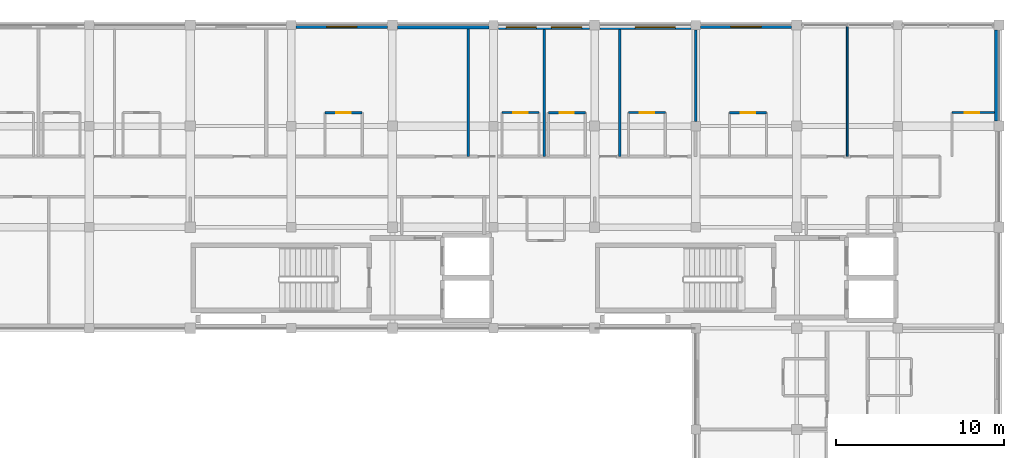
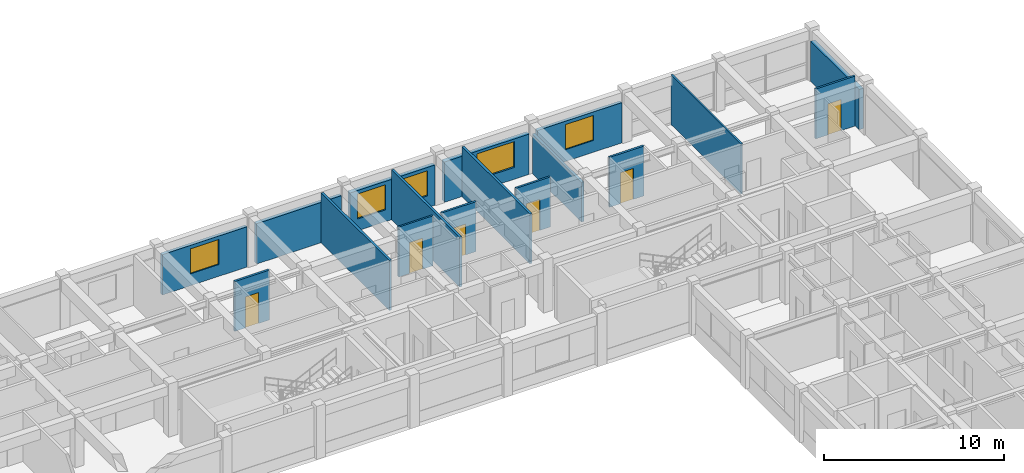
# One storey, part 18 of 25: 17 walls, 6 doors, 5 windows, 11 openings.
"""IFC4 building model written with IfcOpenShell, lengths in metres."""

from ifc_helpers import new_model, si_unit, direction, frame, frame_2d, origin, place, context, subcontext, project, spatial, rectangle, extrude, material, layer, layer_set, type_object, element, fill, save


model = new_model("IFC4")

# Units and contexts
model_context = context("Model", 3, precision=1e-05, world=origin(), true_north=direction((0.0, 1.0)))
body_context = subcontext(model_context, "Body", "Model", "MODEL_VIEW")
ifc_project = project(units=[si_unit("LENGTHUNIT", "METRE"), si_unit("AREAUNIT", "SQUARE_METRE"), si_unit("VOLUMEUNIT", "CUBIC_METRE"), si_unit("PLANEANGLEUNIT", "RADIAN"), si_unit("MASSUNIT", "GRAM", prefix="KILO"), si_unit("THERMODYNAMICTEMPERATUREUNIT", "KELVIN"), si_unit("POWERUNIT", "WATT")], contexts=[model_context])

# Site, building, storey
site_placement = place(None, origin())
site = spatial("IfcSite", under=ifc_project, at=site_placement, CompositionType="ELEMENT")
building_placement = place(site_placement, origin())
building = spatial("IfcBuilding", under=site, at=building_placement, Name="Phaisarnlok Congress Hotel", CompositionType="ELEMENT")
storey_placement = place(building_placement, frame((0.0, 0.0, 24.60009765625)))
storey = spatial("IfcBuildingStorey", under=building, at=storey_placement, Name="L05", CompositionType="ELEMENT", Elevation=24.60009765625)

# Wall, opening, window
ifc_material_1 = material(Name="Concrete C40/50", Category="concrete")
ifc_layer_1 = layer(ifc_material_1, 0.2099609375, Name="Concrete C40/50")
ifc_layer_set_1 = layer_set([ifc_layer_1], Name="Concrete C40/50")
wall_type_1 = type_object("IfcWallType", Name="WL-EXT-210", PredefinedType="SOLIDWALL", material=ifc_layer_set_1)
wall_1_placement = place(storey_placement, frame((167.695068359375, 125.89501953125, 0.0), z_axis=(0.0, 0.0, 1.0), x_axis=(-1.0, 0.0, 0.0)))
wall_1 = element("IfcWall", 1, at=wall_1_placement, inside=storey, type_object=wall_type_1, Name="Exterior wall EW-07 (L05)", PredefinedType="SOLIDWALL", context=body_context, shape_type="SweptSolid", body=[
    extrude(rectangle(XDim=5.4150390625, YDim=0.2099609375, at=frame_2d((2.70751953125, 0.0))), origin(), (0.0, 0.0, 1.0), 2.72998046875),
])
opening_1_placement = place(wall_1_placement, frame((1.806884765625, 0.0, 0.800048828125)))
opening_1 = element("IfcOpeningElement", 2, at=opening_1_placement, cuts=wall_1, Name="Opening W-10", PredefinedType="OPENING", context=body_context, shape_type="SweptSolid", body=[
    extrude(rectangle(XDim=1.800048828125, YDim=1.699951171875, at=frame_2d((0.89990234375, 0.85009765625))), frame((0.0, 0.114990234375, 0.0), z_axis=(0.0, -1.0, 0.0), x_axis=(1.0, 0.0, 0.0)), (0.0, 0.0, 1.0), 0.22998046875),
])
ifc_material_2 = material(Name="Thermally Broken Aluminium & Low-E Double Glazing", Category="aluminium")
window_type_1 = type_object("IfcWindowType", Name="WIN-POD-1800", PartitioningType="SINGLE_PANEL", PredefinedType="WINDOW", material=ifc_material_2)
window_1_placement = place(opening_1_placement, origin())
window_1 = element("IfcWindow", 3, at=window_1_placement, inside=storey, type_object=window_type_1, Name="Guestroom window W-10 (L05)", OverallHeight=1.699951171875, OverallWidth=1.800048828125, PartitioningType="SINGLE_PANEL", PredefinedType="WINDOW", context=body_context, shape_type="SweptSolid", body=[
    extrude(rectangle(XDim=1.800048828125, YDim=1.699951171875, at=frame_2d((0.89990234375, 0.85009765625))), frame((0.0, 0.030029296875, 0.0), z_axis=(0.0, -1.0, 0.0), x_axis=(1.0, 0.0, 0.0)), (0.0, 0.0, 1.0), 0.06005859375),
])
fill(opening_1, window_1)

wall_2_placement = place(storey_placement, frame((143.695068359375, 125.89501953125, 0.0), z_axis=(0.0, 0.0, 1.0), x_axis=(-1.0, 0.0, 0.0)))
wall_2 = element("IfcWall", 4, at=wall_2_placement, inside=storey, type_object=wall_type_1, Name="Exterior wall EW-07 (L05)", PredefinedType="SOLIDWALL", context=body_context, shape_type="SweptSolid", body=[
    extrude(rectangle(XDim=5.4150390625, YDim=0.2099609375, at=frame_2d((2.70751953125, 0.0))), origin(), (0.0, 0.0, 1.0), 2.72998046875),
])
opening_2_placement = place(wall_2_placement, frame((1.806884765625, 0.0, 0.800048828125)))
opening_2 = element("IfcOpeningElement", 5, at=opening_2_placement, cuts=wall_2, Name="Opening W-10", PredefinedType="OPENING", context=body_context, shape_type="SweptSolid", body=[
    extrude(rectangle(XDim=1.800048828125, YDim=1.699951171875, at=frame_2d((0.89990234375, 0.85009765625))), frame((0.0, 0.114990234375, 0.0), z_axis=(0.0, -1.0, 0.0), x_axis=(1.0, 0.0, 0.0)), (0.0, 0.0, 1.0), 0.22998046875),
])
window_2_placement = place(opening_2_placement, origin())
window_2 = element("IfcWindow", 6, at=window_2_placement, inside=storey, type_object=window_type_1, Name="Guestroom window W-10 (L05)", OverallHeight=1.699951171875, OverallWidth=1.800048828125, PartitioningType="SINGLE_PANEL", PredefinedType="WINDOW", context=body_context, shape_type="SweptSolid", body=[
    extrude(rectangle(XDim=1.800048828125, YDim=1.699951171875, at=frame_2d((0.89990234375, 0.85009765625))), frame((0.0, 0.030029296875, 0.0), z_axis=(0.0, -1.0, 0.0), x_axis=(1.0, 0.0, 0.0)), (0.0, 0.0, 1.0), 0.06005859375),
])
fill(opening_2, window_2)

# Wall
ifc_layer_2 = layer(ifc_material_1, 0.22998046875, Name="Concrete C40/50")
ifc_layer_set_2 = layer_set([ifc_layer_2], Name="Concrete C40/50")
wall_type_2 = type_object("IfcWallType", Name="WL-EXT-230", PredefinedType="SOLIDWALL", material=ifc_layer_set_2)
wall_3_placement = place(storey_placement, frame((149.719970703125, 125.885009765625, 0.0), z_axis=(0.0, 0.0, 1.0), x_axis=(-1.0, 0.0, 0.0)))
element("IfcWall", 7, at=wall_3_placement, inside=storey, type_object=wall_type_2, Name="Exterior wall EW-06 (L05)", PredefinedType="SOLIDWALL", context=body_context, shape_type="SweptSolid", body=[
    extrude(rectangle(XDim=5.4150390625, YDim=0.22998046875, at=frame_2d((2.70751953125, 0.0))), origin(), (0.0, 0.0, 1.0), 2.72998046875),
])

# Wall, openings, windows
ifc_layer_3 = layer(ifc_material_1, 0.25, Name="Concrete C40/50")
ifc_layer_set_3 = layer_set([ifc_layer_3], Name="Concrete C40/50")
wall_type_3 = type_object("IfcWallType", Name="WL-EXT-250", PredefinedType="SOLIDWALL", material=ifc_layer_set_3)
wall_4_placement = place(storey_placement, frame((155.695068359375, 125.875, 0.0), z_axis=(0.0, 0.0, 1.0), x_axis=(-1.0, 0.0, 0.0)))
wall_4 = element("IfcWall", 8, at=wall_4_placement, inside=storey, type_object=wall_type_3, Name="Exterior wall EW-05 (L05)", PredefinedType="SOLIDWALL", context=body_context, shape_type="SweptSolid", body=[
    extrude(rectangle(XDim=5.4150390625, YDim=0.25, at=frame_2d((2.70751953125, 0.0))), origin(), (0.0, 0.0, 1.0), 2.72998046875),
])
opening_3_placement = place(wall_4_placement, frame((3.14501953125, 0.0, 0.800048828125)))
opening_3 = element("IfcOpeningElement", 9, at=opening_3_placement, cuts=wall_4, Name="Opening W-10", PredefinedType="OPENING", context=body_context, shape_type="SweptSolid", body=[
    extrude(rectangle(XDim=1.800048828125, YDim=1.699951171875, at=frame_2d((0.89990234375, 0.85009765625))), frame((0.0, 0.135009765625, 0.0), z_axis=(0.0, -1.0, 0.0), x_axis=(1.0, 0.0, 0.0)), (0.0, 0.0, 1.0), 0.27001953125),
])
opening_4_placement = place(wall_4_placement, frame((0.4580078125, 0.0, 0.800048828125)))
opening_4 = element("IfcOpeningElement", 10, at=opening_4_placement, cuts=wall_4, Name="Opening W-10", PredefinedType="OPENING", context=body_context, shape_type="SweptSolid", body=[
    extrude(rectangle(XDim=1.800048828125, YDim=1.699951171875, at=frame_2d((0.89990234375, 0.85009765625))), frame((0.0, 0.135009765625, 0.0), z_axis=(0.0, -1.0, 0.0), x_axis=(1.0, 0.0, 0.0)), (0.0, 0.0, 1.0), 0.27001953125),
])
window_3_placement = place(opening_3_placement, origin())
window_3 = element("IfcWindow", 11, at=window_3_placement, inside=storey, type_object=window_type_1, Name="Guestroom window W-10 (L05)", OverallHeight=1.699951171875, OverallWidth=1.800048828125, PartitioningType="SINGLE_PANEL", PredefinedType="WINDOW", context=body_context, shape_type="SweptSolid", body=[
    extrude(rectangle(XDim=1.800048828125, YDim=1.699951171875, at=frame_2d((0.89990234375, 0.85009765625))), frame((0.0, 0.030029296875, 0.0), z_axis=(0.0, -1.0, 0.0), x_axis=(1.0, 0.0, 0.0)), (0.0, 0.0, 1.0), 0.06005859375),
])
fill(opening_3, window_3)
window_4_placement = place(opening_4_placement, origin())
window_4 = element("IfcWindow", 12, at=window_4_placement, inside=storey, type_object=window_type_1, Name="Guestroom window W-10 (L05)", OverallHeight=1.699951171875, OverallWidth=1.800048828125, PartitioningType="SINGLE_PANEL", PredefinedType="WINDOW", context=body_context, shape_type="SweptSolid", body=[
    extrude(rectangle(XDim=1.800048828125, YDim=1.699951171875, at=frame_2d((0.89990234375, 0.85009765625))), frame((0.0, 0.030029296875, 0.0), z_axis=(0.0, -1.0, 0.0), x_axis=(1.0, 0.0, 0.0)), (0.0, 0.0, 1.0), 0.06005859375),
])
fill(opening_4, window_4)

# Wall
ifc_layer_4 = layer(ifc_material_1, 0.27001953125, Name="Concrete C40/50")
ifc_layer_set_4 = layer_set([ifc_layer_4], Name="Concrete C40/50")
wall_type_4 = type_object("IfcWallType", Name="WL-EXT-270", PredefinedType="SOLIDWALL", material=ifc_layer_set_4)
wall_5_placement = place(storey_placement, frame((179.864990234375, 120.304931640625, 0.0), z_axis=(0.0, 0.0, 1.0), x_axis=(0.0, 1.0, 0.0)))
element("IfcWall", 13, at=wall_5_placement, inside=storey, type_object=wall_type_4, Name="Exterior wall EW-04 (L05)", PredefinedType="SOLIDWALL", context=body_context, shape_type="SweptSolid", body=[
    extrude(rectangle(XDim=5.39013671875, YDim=0.27001953125, at=frame_2d((2.695068359375, 0.0))), origin(), (0.0, 0.0, 1.0), 2.72998046875),
])

# Wall, opening, window
wall_6_placement = place(storey_placement, frame((161.719970703125, 125.864990234375, 0.0), z_axis=(0.0, 0.0, 1.0), x_axis=(-1.0, 0.0, 0.0)))
wall_6 = element("IfcWall", 14, at=wall_6_placement, inside=storey, type_object=wall_type_4, Name="Exterior wall EW-04 (L05)", PredefinedType="SOLIDWALL", context=body_context, shape_type="SweptSolid", body=[
    extrude(rectangle(XDim=5.4150390625, YDim=0.27001953125, at=frame_2d((2.70751953125, 0.0))), origin(), (0.0, 0.0, 1.0), 2.72998046875),
])
opening_5_placement = place(wall_6_placement, frame((0.919921875, 0.0, 0.800048828125)))
opening_5 = element("IfcOpeningElement", 15, at=opening_5_placement, cuts=wall_6, Name="Opening W-01", PredefinedType="OPENING", context=body_context, shape_type="SweptSolid", body=[
    extrude(rectangle(XDim=2.39990234375, YDim=1.75, at=frame_2d((1.199951171875, 0.875))), frame((0.0, 0.14501953125, 0.0), z_axis=(0.0, -1.0, 0.0), x_axis=(1.0, 0.0, 0.0)), (0.0, 0.0, 1.0), 0.2900390625),
])
window_type_2 = type_object("IfcWindowType", Name="WIN-HOTEL-2400", PartitioningType="SINGLE_PANEL", PredefinedType="WINDOW", material=ifc_material_2)
window_5_placement = place(opening_5_placement, origin())
window_5 = element("IfcWindow", 16, at=window_5_placement, inside=storey, type_object=window_type_2, Name="Guestroom window W-01 (L05)", OverallHeight=1.75, OverallWidth=2.39990234375, PartitioningType="SINGLE_PANEL", PredefinedType="WINDOW", context=body_context, shape_type="SweptSolid", body=[
    extrude(rectangle(XDim=2.39990234375, YDim=1.75, at=frame_2d((1.199951171875, 0.875))), frame((0.0, 0.030029296875, 0.0), z_axis=(0.0, -1.0, 0.0), x_axis=(1.0, 0.0, 0.0)), (0.0, 0.0, 1.0), 0.06005859375),
])
fill(opening_5, window_5)

# Wall
ifc_material_3 = material(Name="Service Riser Shaftwall Partition", Category="gypsum")
ifc_layer_5 = layer(ifc_material_3, 0.10498046875, Name="Service Riser Shaftwall Partition")
ifc_layer_set_5 = layer_set([ifc_layer_5], Name="Service Riser Shaftwall Partition")
wall_type_5 = type_object("IfcWallType", Name="WL-INT-105", PredefinedType="PARTITIONING", material=ifc_layer_set_5)
wall_7_placement = place(storey_placement, frame((171.0, 118.199951171875, 0.0), z_axis=(0.0, 0.0, 1.0), x_axis=(0.0, 1.0, 0.0)))
element("IfcWall", 17, at=wall_7_placement, inside=storey, type_object=wall_type_5, Name="Interior partition wall IW-08 (L05)", PredefinedType="PARTITIONING", context=body_context, shape_type="SweptSolid", body=[
    extrude(rectangle(XDim=7.755126953125, YDim=0.10498046875, at=frame_2d((3.87744140625, 0.0))), origin(), (0.0, 0.0, 1.0), 3.3798828125),
])

# Wall, opening, door
ifc_material_4 = material(Name="Lightweight Metal-Stud Gypsum Partition", Category="gypsum")
ifc_layer_6 = layer(ifc_material_4, 0.1201171875, Name="Lightweight Metal-Stud Gypsum Partition")
ifc_layer_set_6 = layer_set([ifc_layer_6], Name="Lightweight Metal-Stud Gypsum Partition")
wall_type_6 = type_object("IfcWallType", Name="WL-INT-120", PredefinedType="PARTITIONING", material=ifc_layer_set_6)
wall_8_placement = place(storey_placement, frame((150.5, 120.800048828125, 0.0), z_axis=(0.0, 0.0, 1.0), x_axis=(1.0, 0.0, 0.0)))
wall_8 = element("IfcWall", 18, at=wall_8_placement, inside=storey, type_object=wall_type_6, Name="Interior partition wall IW-07 (L05)", PredefinedType="PARTITIONING", context=body_context, shape_type="SweptSolid", body=[
    extrude(rectangle(XDim=2.199951171875, YDim=0.1201171875, at=frame_2d((1.10009765625, 0.0))), origin(), (0.0, 0.0, 1.0), 3.3798828125),
])
opening_6_placement = place(wall_8_placement, frame((0.675048828125, 0.0, 0.0)))
opening_6 = element("IfcOpeningElement", 19, at=opening_6_placement, cuts=wall_8, Name="Opening D-0171", PredefinedType="OPENING", context=body_context, shape_type="SweptSolid", body=[
    extrude(rectangle(XDim=0.85009765625, YDim=2.10009765625, at=frame_2d((0.425048828125, 1.050048828125))), frame((0.0, 0.070068359375, 0.0), z_axis=(0.0, -1.0, 0.0), x_axis=(1.0, 0.0, 0.0)), (0.0, 0.0, 1.0), 0.14013671875),
])
ifc_material_5 = material(Name="Moisture-Resistant Lacquered Timber", Category="wood")
door_type = type_object("IfcDoorType", Name="DR-BATH-850", OperationType="NOTDEFINED", PredefinedType="DOOR", material=ifc_material_5)
door_1_placement = place(opening_6_placement, origin())
door_1 = element("IfcDoor", 20, at=door_1_placement, inside=storey, type_object=door_type, Name="Interior door D-0171 (L05)", OperationType="SINGLE_SWING_LEFT", OverallHeight=2.10009765625, OverallWidth=0.85009765625, PredefinedType="DOOR", context=body_context, shape_type="SweptSolid", body=[
    extrude(rectangle(XDim=0.85009765625, YDim=2.10009765625, at=frame_2d((0.425048828125, 1.050048828125))), frame((0.0, 0.02490234375, 0.0), z_axis=(0.0, -1.0, 0.0), x_axis=(1.0, 0.0, 0.0)), (0.0, 0.0, 1.0), 0.050048828125),
])
fill(opening_6, door_1)

wall_9_placement = place(storey_placement, frame((158.0, 120.800048828125, 0.0), z_axis=(0.0, 0.0, 1.0), x_axis=(1.0, 0.0, 0.0)))
wall_9 = element("IfcWall", 21, at=wall_9_placement, inside=storey, type_object=wall_type_6, Name="Interior partition wall IW-07 (L05)", PredefinedType="PARTITIONING", context=body_context, shape_type="SweptSolid", body=[
    extrude(rectangle(XDim=2.199951171875, YDim=0.1201171875, at=frame_2d((1.10009765625, 0.0))), origin(), (0.0, 0.0, 1.0), 3.3798828125),
])
opening_7_placement = place(wall_9_placement, frame((0.675048828125, 0.0, 0.0)))
opening_7 = element("IfcOpeningElement", 22, at=opening_7_placement, cuts=wall_9, Name="Opening D-0175", PredefinedType="OPENING", context=body_context, shape_type="SweptSolid", body=[
    extrude(rectangle(XDim=0.85009765625, YDim=2.10009765625, at=frame_2d((0.425048828125, 1.050048828125))), frame((0.0, 0.070068359375, 0.0), z_axis=(0.0, -1.0, 0.0), x_axis=(1.0, 0.0, 0.0)), (0.0, 0.0, 1.0), 0.14013671875),
])
door_2_placement = place(opening_7_placement, origin())
door_2 = element("IfcDoor", 23, at=door_2_placement, inside=storey, type_object=door_type, Name="Interior door D-0175 (L05)", OperationType="SINGLE_SWING_LEFT", OverallHeight=2.10009765625, OverallWidth=0.85009765625, PredefinedType="DOOR", context=body_context, shape_type="SweptSolid", body=[
    extrude(rectangle(XDim=0.85009765625, YDim=2.10009765625, at=frame_2d((0.425048828125, 1.050048828125))), frame((0.0, 0.02490234375, 0.0), z_axis=(0.0, -1.0, 0.0), x_axis=(1.0, 0.0, 0.0)), (0.0, 0.0, 1.0), 0.050048828125),
])
fill(opening_7, door_2)

wall_10_placement = place(storey_placement, frame((177.199951171875, 120.800048828125, 0.0), z_axis=(0.0, 0.0, 1.0), x_axis=(1.0, 0.0, 0.0)))
wall_10 = element("IfcWall", 24, at=wall_10_placement, inside=storey, type_object=wall_type_6, Name="Interior partition wall IW-07 (L05)", PredefinedType="PARTITIONING", context=body_context, shape_type="SweptSolid", body=[
    extrude(rectangle(XDim=2.525146484375, YDim=0.1201171875, at=frame_2d((1.2626953125, 0.0))), origin(), (0.0, 0.0, 1.0), 3.3798828125),
])
opening_8_placement = place(wall_10_placement, frame((0.77490234375, 0.0, 0.0)))
opening_8 = element("IfcOpeningElement", 25, at=opening_8_placement, cuts=wall_10, Name="Opening D-0179", PredefinedType="OPENING", context=body_context, shape_type="SweptSolid", body=[
    extrude(rectangle(XDim=0.85009765625, YDim=2.10009765625, at=frame_2d((0.425048828125, 1.050048828125))), frame((0.0, 0.070068359375, 0.0), z_axis=(0.0, -1.0, 0.0), x_axis=(1.0, 0.0, 0.0)), (0.0, 0.0, 1.0), 0.14013671875),
])
door_3_placement = place(opening_8_placement, origin())
door_3 = element("IfcDoor", 26, at=door_3_placement, inside=storey, type_object=door_type, Name="Interior door D-0179 (L05)", OperationType="SINGLE_SWING_LEFT", OverallHeight=2.10009765625, OverallWidth=0.85009765625, PredefinedType="DOOR", context=body_context, shape_type="SweptSolid", body=[
    extrude(rectangle(XDim=0.85009765625, YDim=2.10009765625, at=frame_2d((0.425048828125, 1.050048828125))), frame((0.0, 0.02490234375, 0.0), z_axis=(0.0, -1.0, 0.0), x_axis=(1.0, 0.0, 0.0)), (0.0, 0.0, 1.0), 0.050048828125),
])
fill(opening_8, door_3)

ifc_material_6 = material(Name="Moisture-Resistant Gypsum Partition", Category="gypsum")
ifc_layer_7 = layer(ifc_material_6, 0.135009765625, Name="Moisture-Resistant Gypsum Partition")
ifc_layer_set_7 = layer_set([ifc_layer_7], Name="Moisture-Resistant Gypsum Partition")
wall_type_7 = type_object("IfcWallType", Name="WL-INT-135", PredefinedType="PARTITIONING", material=ifc_layer_set_7)
wall_11_placement = place(storey_placement, frame((140.0, 120.800048828125, 0.0), z_axis=(0.0, 0.0, 1.0), x_axis=(1.0, 0.0, 0.0)))
wall_11 = element("IfcWall", 27, at=wall_11_placement, inside=storey, type_object=wall_type_7, Name="Interior partition wall IW-06 (L05)", PredefinedType="PARTITIONING", context=body_context, shape_type="SweptSolid", body=[
    extrude(rectangle(XDim=2.199951171875, YDim=0.135009765625, at=frame_2d((1.10009765625, 0.0))), origin(), (0.0, 0.0, 1.0), 3.3798828125),
])
opening_9_placement = place(wall_11_placement, frame((0.675048828125, 0.0, 0.0)))
opening_9 = element("IfcOpeningElement", 28, at=opening_9_placement, cuts=wall_11, Name="Opening D-0169", PredefinedType="OPENING", context=body_context, shape_type="SweptSolid", body=[
    extrude(rectangle(XDim=0.85009765625, YDim=2.10009765625, at=frame_2d((0.425048828125, 1.050048828125))), frame((0.0, 0.07763671875, 0.0), z_axis=(0.0, -1.0, 0.0), x_axis=(1.0, 0.0, 0.0)), (0.0, 0.0, 1.0), 0.155029296875),
])
door_4_placement = place(opening_9_placement, origin())
door_4 = element("IfcDoor", 29, at=door_4_placement, inside=storey, type_object=door_type, Name="Interior door D-0169 (L05)", OperationType="SINGLE_SWING_LEFT", OverallHeight=2.10009765625, OverallWidth=0.85009765625, PredefinedType="DOOR", context=body_context, shape_type="SweptSolid", body=[
    extrude(rectangle(XDim=0.85009765625, YDim=2.10009765625, at=frame_2d((0.425048828125, 1.050048828125))), frame((0.0, 0.02490234375, 0.0), z_axis=(0.0, -1.0, 0.0), x_axis=(1.0, 0.0, 0.0)), (0.0, 0.0, 1.0), 0.050048828125),
])
fill(opening_9, door_4)

wall_12_placement = place(storey_placement, frame((153.25, 120.800048828125, 0.0), z_axis=(0.0, 0.0, 1.0), x_axis=(1.0, 0.0, 0.0)))
wall_12 = element("IfcWall", 30, at=wall_12_placement, inside=storey, type_object=wall_type_7, Name="Interior partition wall IW-06 (L05)", PredefinedType="PARTITIONING", context=body_context, shape_type="SweptSolid", body=[
    extrude(rectangle(XDim=2.199951171875, YDim=0.135009765625, at=frame_2d((1.10009765625, 0.0))), origin(), (0.0, 0.0, 1.0), 3.3798828125),
])
opening_10_placement = place(wall_12_placement, frame((0.675048828125, 0.0, 0.0)))
opening_10 = element("IfcOpeningElement", 31, at=opening_10_placement, cuts=wall_12, Name="Opening D-0173", PredefinedType="OPENING", context=body_context, shape_type="SweptSolid", body=[
    extrude(rectangle(XDim=0.85009765625, YDim=2.10009765625, at=frame_2d((0.425048828125, 1.050048828125))), frame((0.0, 0.07763671875, 0.0), z_axis=(0.0, -1.0, 0.0), x_axis=(1.0, 0.0, 0.0)), (0.0, 0.0, 1.0), 0.155029296875),
])
door_5_placement = place(opening_10_placement, origin())
door_5 = element("IfcDoor", 32, at=door_5_placement, inside=storey, type_object=door_type, Name="Interior door D-0173 (L05)", OperationType="SINGLE_SWING_LEFT", OverallHeight=2.10009765625, OverallWidth=0.85009765625, PredefinedType="DOOR", context=body_context, shape_type="SweptSolid", body=[
    extrude(rectangle(XDim=0.85009765625, YDim=2.10009765625, at=frame_2d((0.425048828125, 1.050048828125))), frame((0.0, 0.02490234375, 0.0), z_axis=(0.0, -1.0, 0.0), x_axis=(1.0, 0.0, 0.0)), (0.0, 0.0, 1.0), 0.050048828125),
])
fill(opening_10, door_5)

wall_13_placement = place(storey_placement, frame((164.0, 120.800048828125, 0.0), z_axis=(0.0, 0.0, 1.0), x_axis=(1.0, 0.0, 0.0)))
wall_13 = element("IfcWall", 33, at=wall_13_placement, inside=storey, type_object=wall_type_7, Name="Interior partition wall IW-06 (L05)", PredefinedType="PARTITIONING", context=body_context, shape_type="SweptSolid", body=[
    extrude(rectangle(XDim=2.199951171875, YDim=0.135009765625, at=frame_2d((1.10009765625, 0.0))), origin(), (0.0, 0.0, 1.0), 3.3798828125),
])
opening_11_placement = place(wall_13_placement, frame((0.675048828125, 0.0, 0.0)))
opening_11 = element("IfcOpeningElement", 34, at=opening_11_placement, cuts=wall_13, Name="Opening D-0177", PredefinedType="OPENING", context=body_context, shape_type="SweptSolid", body=[
    extrude(rectangle(XDim=0.85009765625, YDim=2.10009765625, at=frame_2d((0.425048828125, 1.050048828125))), frame((0.0, 0.07763671875, 0.0), z_axis=(0.0, -1.0, 0.0), x_axis=(1.0, 0.0, 0.0)), (0.0, 0.0, 1.0), 0.155029296875),
])
door_6_placement = place(opening_11_placement, origin())
door_6 = element("IfcDoor", 35, at=door_6_placement, inside=storey, type_object=door_type, Name="Interior door D-0177 (L05)", OperationType="SINGLE_SWING_LEFT", OverallHeight=2.10009765625, OverallWidth=0.85009765625, PredefinedType="DOOR", context=body_context, shape_type="SweptSolid", body=[
    extrude(rectangle(XDim=0.85009765625, YDim=2.10009765625, at=frame_2d((0.425048828125, 1.050048828125))), frame((0.0, 0.02490234375, 0.0), z_axis=(0.0, -1.0, 0.0), x_axis=(1.0, 0.0, 0.0)), (0.0, 0.0, 1.0), 0.050048828125),
])
fill(opening_11, door_6)

# Walls
ifc_material_7 = material(Name="Acoustic Gypsum Board & Mineral Wool", Category="gypsum")
ifc_layer_8 = layer(ifc_material_7, 0.14990234375, Name="Acoustic Gypsum Board & Mineral Wool")
ifc_layer_set_8 = layer_set([ifc_layer_8], Name="Acoustic Gypsum Board & Mineral Wool")
wall_type_8 = type_object("IfcWallType", Name="WL-INT-150", PredefinedType="PARTITIONING", material=ifc_layer_set_8)
wall_14_placement = place(storey_placement, frame((148.5, 118.199951171875, 0.0), z_axis=(0.0, 0.0, 1.0), x_axis=(0.0, 1.0, 0.0)))
element("IfcWall", 36, at=wall_14_placement, inside=storey, type_object=wall_type_8, Name="Interior partition wall IW-05 (L05)", PredefinedType="PARTITIONING", context=body_context, shape_type="SweptSolid", body=[
    extrude(rectangle(XDim=7.56494140625, YDim=0.14990234375, at=frame_2d((3.782470703125, 0.0))), origin(), (0.0, 0.0, 1.0), 3.3798828125),
])
wall_15_placement = place(storey_placement, frame((153.0, 118.199951171875, 0.0), z_axis=(0.0, 0.0, 1.0), x_axis=(0.0, 1.0, 0.0)))
element("IfcWall", 37, at=wall_15_placement, inside=storey, type_object=wall_type_8, Name="Interior partition wall IW-05 (L05)", PredefinedType="PARTITIONING", context=body_context, shape_type="SweptSolid", body=[
    extrude(rectangle(XDim=7.545166015625, YDim=0.14990234375, at=frame_2d((3.7724609375, 0.0))), origin(), (0.0, 0.0, 1.0), 3.3798828125),
])
wall_16_placement = place(storey_placement, frame((157.5, 118.199951171875, 0.0), z_axis=(0.0, 0.0, 1.0), x_axis=(0.0, 1.0, 0.0)))
element("IfcWall", 38, at=wall_16_placement, inside=storey, type_object=wall_type_8, Name="Interior partition wall IW-05 (L05)", PredefinedType="PARTITIONING", context=body_context, shape_type="SweptSolid", body=[
    extrude(rectangle(XDim=7.525146484375, YDim=0.14990234375, at=frame_2d((3.7626953125, 0.0))), origin(), (0.0, 0.0, 1.0), 3.3798828125),
])
ifc_material_8 = material(Name="Double-Stud Acoustic Gypsum Partition", Category="gypsum")
ifc_layer_9 = layer(ifc_material_8, 0.159912109375, Name="Double-Stud Acoustic Gypsum Partition")
ifc_layer_set_9 = layer_set([ifc_layer_9], Name="Double-Stud Acoustic Gypsum Partition")
wall_type_9 = type_object("IfcWallType", Name="WL-INT-160", PredefinedType="PARTITIONING", material=ifc_layer_set_9)
wall_17_placement = place(storey_placement, frame((162.0, 120.280029296875, 0.0), z_axis=(0.0, 0.0, 1.0), x_axis=(0.0, 1.0, 0.0)))
element("IfcWall", 39, at=wall_17_placement, inside=storey, type_object=wall_type_9, Name="Interior partition wall IW-04 (L05)", PredefinedType="PARTITIONING", context=body_context, shape_type="SweptSolid", body=[
    extrude(rectangle(XDim=5.43994140625, YDim=0.159912109375, at=frame_2d((2.719970703125, 0.0))), origin(), (0.0, 0.0, 1.0), 2.679931640625),
])

save(model, "model.ifc")
